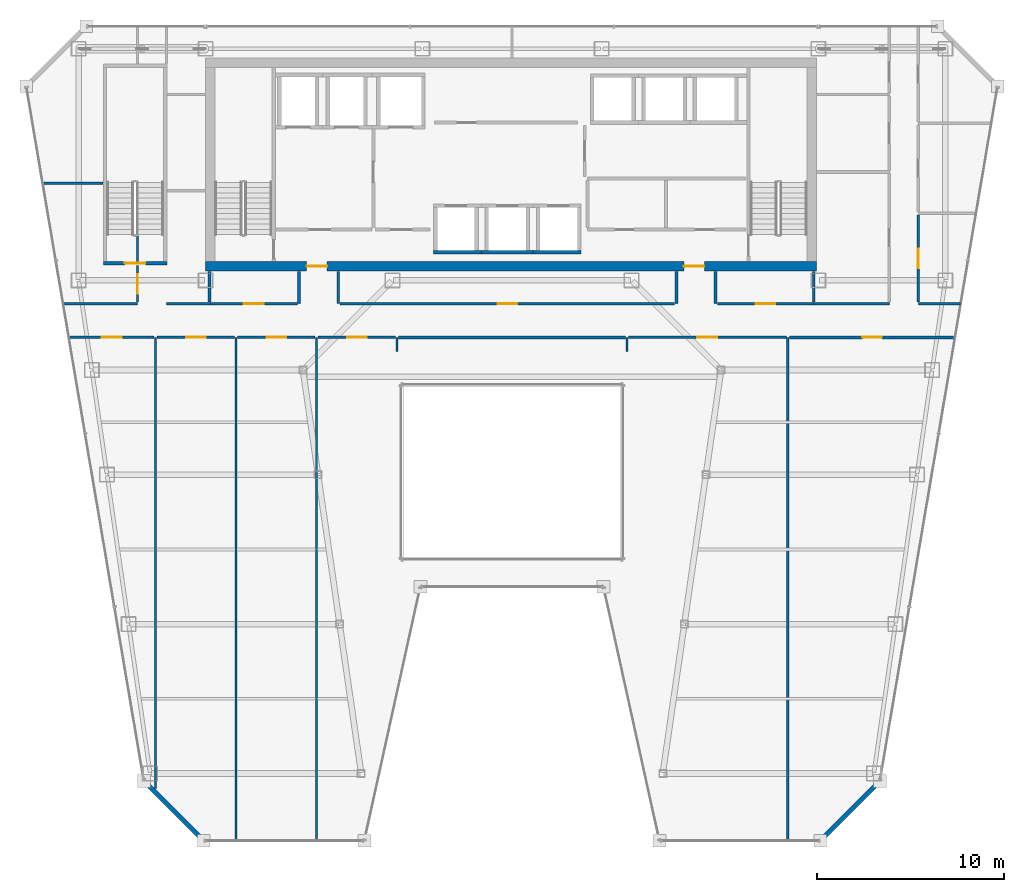
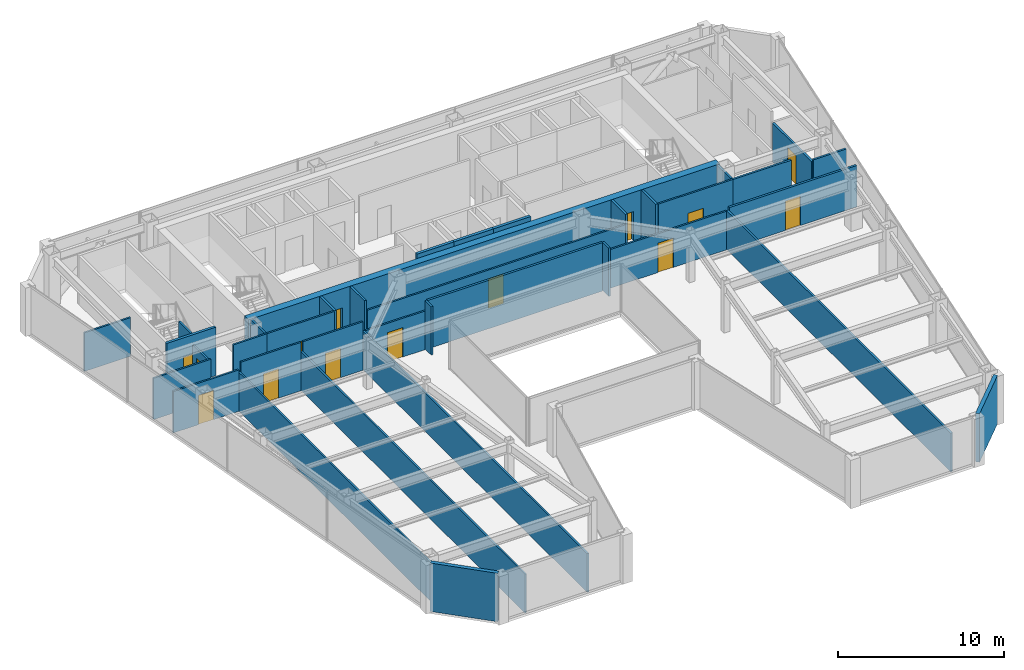
# One storey, part 30 of 35: 37 walls, 14 doors, 14 openings.
"""IFC4 building model written with IfcOpenShell, lengths in metres."""

from ifc_helpers import new_model, si_unit, direction, frame, frame_2d, origin, place, context, subcontext, project, spatial, rectangle, extrude, material, layer, layer_set, type_object, element, fill, save


model = new_model("IFC4")

# Units and contexts
model_context = context("Model", 3, precision=1e-05, world=origin(), true_north=direction((0.0, 1.0)))
body_context = subcontext(model_context, "Body", "Model", "MODEL_VIEW")
ifc_project = project(units=[si_unit("LENGTHUNIT", "METRE"), si_unit("AREAUNIT", "SQUARE_METRE"), si_unit("VOLUMEUNIT", "CUBIC_METRE"), si_unit("PLANEANGLEUNIT", "RADIAN"), si_unit("MASSUNIT", "GRAM", prefix="KILO")], contexts=[model_context])

# Site, building, storey
site_placement = place(None, origin())
site = spatial("IfcSite", under=ifc_project, at=site_placement, CompositionType="ELEMENT")
building_placement = place(site_placement, origin())
building = spatial("IfcBuilding", under=site, at=building_placement, Name="Saevonmaru Cultural Tower", CompositionType="ELEMENT")
storey_placement = place(building_placement, frame((0.0, 0.0, 190.39990234375)))
storey = spatial("IfcBuildingStorey", under=building, at=storey_placement, Name="L43", CompositionType="ELEMENT", Elevation=190.39990234375)

# Wall, openings, doors
ifc_material_1 = material(Name="Concrete C60/75", Category="concrete")
ifc_layer_1 = layer(ifc_material_1, 0.5, Name="Concrete C60/75")
ifc_layer_set_1 = layer_set([ifc_layer_1], Name="Concrete C60/75")
wall_type_1 = type_object("IfcWallType", Name="WL-CORE-500", PredefinedType="SHEAR", material=ifc_layer_set_1)
wall_1_placement = place(storey_placement, frame((13.60009765625, 43.14990234375, 0.0), z_axis=(0.0, 0.0, 1.0), x_axis=(1.0, 0.0, 0.0)))
wall_1 = element("IfcWall", 1, at=wall_1_placement, inside=storey, type_object=wall_type_1, Name="L43 Tower RC core shear wall S", PredefinedType="SHEAR", context=body_context, shape_type="SweptSolid", body=[
    extrude(rectangle(XDim=32.699951171875, YDim=0.5, at=frame_2d((16.35009765625, 0.0))), origin(), (0.0, 0.0, 1.0), 3.550048828125),
])
opening_1_placement = place(wall_1_placement, frame((5.39990234375, 0.0, 0.0)))
opening_1 = element("IfcOpeningElement", 2, at=opening_1_placement, cuts=wall_1, Name="Opening FD-2", PredefinedType="OPENING", context=body_context, shape_type="SweptSolid", body=[
    extrude(rectangle(XDim=1.10009765625, YDim=2.14990234375, at=frame_2d((0.550048828125, 1.074951171875))), frame((0.0, 0.260009765625, 0.0), z_axis=(0.0, -1.0, 0.0), x_axis=(1.0, 0.0, 0.0)), (0.0, 0.0, 1.0), 0.52001953125),
])
opening_2_placement = place(wall_1_placement, frame((25.60009765625, 0.0, 0.0)))
opening_2 = element("IfcOpeningElement", 3, at=opening_2_placement, cuts=wall_1, Name="Opening FD-2", PredefinedType="OPENING", context=body_context, shape_type="SweptSolid", body=[
    extrude(rectangle(XDim=1.10009765625, YDim=2.14990234375, at=frame_2d((0.550048828125, 1.074951171875))), frame((0.0, 0.260009765625, 0.0), z_axis=(0.0, -1.0, 0.0), x_axis=(1.0, 0.0, 0.0)), (0.0, 0.0, 1.0), 0.52001953125),
])
ifc_material_2 = material(Name="Satin Bronze Anodised Aluminium", Category="aluminium")
door_type_1 = type_object("IfcDoorType", Name="DR-FD60-1100", OperationType="SINGLE_SWING_LEFT", PredefinedType="DOOR", material=ifc_material_2)
door_1_placement = place(opening_1_placement, origin())
door_1 = element("IfcDoor", 4, at=door_1_placement, inside=storey, type_object=door_type_1, Name="L43 Core West Lobby Fire Door", OperationType="SINGLE_SWING_LEFT", OverallHeight=2.14990234375, OverallWidth=1.10009765625, PredefinedType="DOOR", context=body_context, shape_type="SweptSolid", body=[
    extrude(rectangle(XDim=1.10009765625, YDim=2.14990234375, at=frame_2d((0.550048828125, 1.074951171875))), frame((0.0, 0.02490234375, 0.0), z_axis=(0.0, -1.0, 0.0), x_axis=(1.0, 0.0, 0.0)), (0.0, 0.0, 1.0), 0.050048828125),
])
fill(opening_1, door_1)
door_2_placement = place(opening_2_placement, origin())
door_2 = element("IfcDoor", 5, at=door_2_placement, inside=storey, type_object=door_type_1, Name="L43 Core East Lobby Fire Door", OperationType="SINGLE_SWING_LEFT", OverallHeight=2.14990234375, OverallWidth=1.10009765625, PredefinedType="DOOR", context=body_context, shape_type="SweptSolid", body=[
    extrude(rectangle(XDim=1.10009765625, YDim=2.14990234375, at=frame_2d((0.550048828125, 1.074951171875))), frame((0.0, 0.02490234375, 0.0), z_axis=(0.0, -1.0, 0.0), x_axis=(1.0, 0.0, 0.0)), (0.0, 0.0, 1.0), 0.050048828125),
])
fill(opening_2, door_2)

# Walls
ifc_material_3 = material(Name="Granite-Clad Precast Concrete C40/50", Category="masonry")
ifc_layer_2 = layer(ifc_material_3, 0.260009765625, Name="Granite-Clad Precast Concrete C40/50")
ifc_layer_set_2 = layer_set([ifc_layer_2], Name="Granite-Clad Precast Concrete C40/50")
wall_type_2 = type_object("IfcWallType", Name="WL-EXT-SPANDREL-260", PredefinedType="STANDARD", material=ifc_layer_set_2)
for number, where, z_axis, x_axis, name in (
    (6, (10.410888671875, 15.48681640625, 0.0), (0.0, 0.0, 1.0), (0.707135806771, -0.70707775441, 0.0), "L43 Chamfer Corner Spandrel Wall E1"),
    (7, (46.615234375, 12.51318359375, 0.0), (0.0, 0.0, 1.0), (0.707135806771, 0.70707775441, 0.0), "L43 Chamfer Corner Spandrel Wall E7"),
):
    element("IfcWall", number, at=place(storey_placement, frame(where, z_axis=z_axis, x_axis=x_axis)), inside=storey, type_object=wall_type_2, Name=name, PredefinedType="STANDARD", context=body_context, shape_type="SweptSolid", body=[
        extrude(rectangle(XDim=4.20556640625, YDim=0.260009765625, at=frame_2d((2.102783203125, 0.0))), origin(), (0.0, 0.0, 1.0), 3.550048828125),
    ])

# Wall, opening, door
ifc_material_4 = material(Name="Gypsum Fireboard Partition", Category="gypsum")
ifc_layer_3 = layer(ifc_material_4, 0.14990234375, Name="Gypsum Fireboard Partition")
ifc_layer_set_3 = layer_set([ifc_layer_3], Name="Gypsum Fireboard Partition")
wall_type_3 = type_object("IfcWallType", Name="WL-PART-FIRE-150", PredefinedType="PARTITIONING", material=ifc_layer_set_3)
wall_2_placement = place(storey_placement, frame((51.75, 41.237548828125, 0.0), z_axis=(0.0, 0.0, 1.0), x_axis=(0.0, 1.0, 0.0)))
wall_2 = element("IfcWall", 8, at=wall_2_placement, inside=storey, type_object=wall_type_3, Name="L43 Special Collections Gallery Corridor Wall", PredefinedType="PARTITIONING", context=body_context, shape_type="SweptSolid", body=[
    extrude(rectangle(XDim=4.675048828125, YDim=0.14990234375, at=frame_2d((2.33740234375, 0.0))), origin(), (0.0, 0.0, 1.0), 2.835205078125),
])
opening_3_placement = place(wall_2_placement, frame((1.81298828125, 0.0, 0.0)))
opening_3 = element("IfcOpeningElement", 9, at=opening_3_placement, cuts=wall_2, Name="Opening ID-1", PredefinedType="OPENING", context=body_context, shape_type="SweptSolid", body=[
    extrude(rectangle(XDim=1.050048828125, YDim=2.14990234375, at=frame_2d((0.52490234375, 1.074951171875))), frame((0.0, 0.0849609375, 0.0), z_axis=(0.0, -1.0, 0.0), x_axis=(1.0, 0.0, 0.0)), (0.0, 0.0, 1.0), 0.169921875),
])
door_type_2 = type_object("IfcDoorType", Name="DR-INT-1050", OperationType="SINGLE_SWING_LEFT", PredefinedType="DOOR", material=ifc_material_2)
door_3_placement = place(opening_3_placement, origin())
door_3 = element("IfcDoor", 10, at=door_3_placement, inside=storey, type_object=door_type_2, Name="L43 Special Collections Gallery Door", OperationType="SINGLE_SWING_RIGHT", OverallHeight=2.14990234375, OverallWidth=1.050048828125, PredefinedType="DOOR", context=body_context, shape_type="SweptSolid", body=[
    extrude(rectangle(XDim=1.050048828125, YDim=2.14990234375, at=frame_2d((0.52490234375, 1.074951171875))), frame((0.0, 0.02490234375, 0.0), z_axis=(0.0, -1.0, 0.0), x_axis=(1.0, 0.0, 0.0)), (0.0, 0.0, 1.0), 0.050048828125),
])
fill(opening_3, door_3)

# Walls
wall_3_placement = place(storey_placement, frame((13.800048828125, 41.22998046875, 0.0), z_axis=(0.0, 0.0, 1.0), x_axis=(0.0, 1.0, 0.0)))
element("IfcWall", 11, at=wall_3_placement, inside=storey, type_object=wall_type_3, Name="L43 Core Portal Side Wall W0", PredefinedType="PARTITIONING", context=body_context, shape_type="SweptSolid", body=[
    extrude(rectangle(XDim=1.64990234375, YDim=0.14990234375, at=frame_2d((0.824951171875, 0.0))), origin(), (0.0, 0.0, 1.0), 3.550048828125),
])
for number, where, z_axis, x_axis, name in (
    (12, (18.60009765625, 41.14990234375, 0.0), (0.0, 0.0, 1.0), (0.0, 1.0, 0.0), "L43 Core Portal Side Wall W1"),
    (13, (20.699951171875, 41.14990234375, 0.0), (0.0, 0.0, 1.0), (0.0, 1.0, 0.0), "L43 Core Portal Side Wall W2"),
    (14, (38.800048828125, 41.14990234375, 0.0), (0.0, 0.0, 1.0), (0.0, 1.0, 0.0), "L43 Core Portal Side Wall E1"),
    (15, (40.89990234375, 41.14990234375, 0.0), (0.0, 0.0, 1.0), (0.0, 1.0, 0.0), "L43 Core Portal Side Wall E2"),
):
    element("IfcWall", number, at=place(storey_placement, frame(where, z_axis=z_axis, x_axis=x_axis)), inside=storey, type_object=wall_type_3, Name=name, PredefinedType="PARTITIONING", context=body_context, shape_type="SweptSolid", body=[
        extrude(rectangle(XDim=1.72998046875, YDim=0.14990234375, at=frame_2d((0.864990234375, 0.0))), origin(), (0.0, 0.0, 1.0), 3.550048828125),
    ])
wall_4_placement = place(storey_placement, frame((23.929931640625, 39.35009765625, 0.0), z_axis=(0.0, 0.0, 1.0), x_axis=(1.0, 0.0, 0.0)))
element("IfcWall", 16, at=wall_4_placement, inside=storey, type_object=wall_type_3, Name="L43 North Atrium Corridor Wall", PredefinedType="PARTITIONING", context=body_context, shape_type="SweptSolid", body=[
    extrude(rectangle(XDim=12.14013671875, YDim=0.14990234375, at=frame_2d((6.070068359375, 0.0))), origin(), (0.0, 0.0, 1.0), 3.550048828125),
])

# Wall, opening, door
wall_5_placement = place(storey_placement, frame((44.857421875, 39.35009765625, 0.0), z_axis=(0.0, 0.0, 1.0), x_axis=(1.0, 0.0, 0.0)))
wall_5 = element("IfcWall", 17, at=wall_5_placement, inside=storey, type_object=wall_type_3, Name="L43 Special Collections Gallery Corridor Wall", PredefinedType="PARTITIONING", context=body_context, shape_type="SweptSolid", body=[
    extrude(rectangle(XDim=8.837646484375, YDim=0.14990234375, at=frame_2d((4.4189453125, 0.0))), origin(), (0.0, 0.0, 1.0), 3.03515625),
])
opening_4_placement = place(wall_5_placement, frame((3.89404296875, 0.0, 0.0)))
opening_4 = element("IfcOpeningElement", 18, at=opening_4_placement, cuts=wall_5, Name="Opening ID-1", PredefinedType="OPENING", context=body_context, shape_type="SweptSolid", body=[
    extrude(rectangle(XDim=1.050048828125, YDim=2.14990234375, at=frame_2d((0.52490234375, 1.074951171875))), frame((0.0, 0.0849609375, 0.0), z_axis=(0.0, -1.0, 0.0), x_axis=(1.0, 0.0, 0.0)), (0.0, 0.0, 1.0), 0.169921875),
])
door_4_placement = place(opening_4_placement, origin())
door_4 = element("IfcDoor", 19, at=door_4_placement, inside=storey, type_object=door_type_2, Name="L43 Special Collections Gallery Door", OperationType="SINGLE_SWING_LEFT", OverallHeight=2.14990234375, OverallWidth=1.050048828125, PredefinedType="DOOR", context=body_context, shape_type="SweptSolid", body=[
    extrude(rectangle(XDim=1.050048828125, YDim=2.14990234375, at=frame_2d((0.52490234375, 1.074951171875))), frame((0.0, 0.02490234375, 0.0), z_axis=(0.0, -1.0, 0.0), x_axis=(1.0, 0.0, 0.0)), (0.0, 0.0, 1.0), 0.050048828125),
])
fill(opening_4, door_4)

# Walls
ifc_layer_4 = layer(ifc_material_4, 0.1201171875, Name="Gypsum Fireboard Partition")
ifc_layer_set_4 = layer_set([ifc_layer_4], Name="Gypsum Fireboard Partition")
wall_type_4 = type_object("IfcWallType", Name="WL-PART-GYP-120", PredefinedType="PARTITIONING", material=ifc_layer_set_4)
wall_6_placement = place(storey_placement, frame((5.977294921875, 41.14990234375, 0.0), z_axis=(0.0, 0.0, 1.0), x_axis=(1.0, 0.0, 0.0)))
element("IfcWall", 20, at=wall_6_placement, inside=storey, type_object=wall_type_4, Name="L43 NW Wing South Wall", PredefinedType="PARTITIONING", context=body_context, shape_type="SweptSolid", body=[
    extrude(rectangle(XDim=3.97265625, YDim=0.1201171875, at=frame_2d((1.986328125, 0.0))), origin(), (0.0, 0.0, 1.0), 3.03515625),
])
wall_7_placement = place(storey_placement, frame((11.5, 41.14990234375, 0.0), z_axis=(0.0, 0.0, 1.0), x_axis=(1.0, 0.0, 0.0)))
element("IfcWall", 21, at=wall_7_placement, inside=storey, type_object=wall_type_4, Name="L43 NW Inner South Wall", PredefinedType="PARTITIONING", context=body_context, shape_type="SweptSolid", body=[
    extrude(rectangle(XDim=2.35009765625, YDim=0.1201171875, at=frame_2d((1.175048828125, 0.0))), origin(), (0.0, 0.0, 1.0), 3.550048828125),
])
wall_8_placement = place(storey_placement, frame((4.885498046875, 47.60009765625, 0.0), z_axis=(0.0, 0.0, 1.0), x_axis=(1.0, 0.0, 0.0)))
element("IfcWall", 22, at=wall_8_placement, inside=storey, type_object=wall_type_4, Name="L43 NW Studio Divider 1", PredefinedType="PARTITIONING", context=body_context, shape_type="SweptSolid", body=[
    extrude(rectangle(XDim=3.214599609375, YDim=0.1201171875, at=frame_2d((1.607421875, 0.0))), origin(), (0.0, 0.0, 1.0), 2.835205078125),
])

# Wall, opening, door
wall_9_placement = place(storey_placement, frame((9.949951171875, 41.22998046875, 0.0), z_axis=(0.0, 0.0, 1.0), x_axis=(0.0, 1.0, 0.0)))
wall_9 = element("IfcWall", 23, at=wall_9_placement, inside=storey, type_object=wall_type_4, Name="L43 Rare Manuscript Reading Room Corridor Wall", PredefinedType="PARTITIONING", context=body_context, shape_type="SweptSolid", body=[
    extrude(rectangle(XDim=1.969970703125, YDim=0.1201171875, at=frame_2d((0.98486328125, 0.0))), origin(), (0.0, 0.0, 1.0), 2.835205078125),
])
opening_5_placement = place(wall_9_placement, frame((0.4599609375, 0.0, 0.0)))
opening_5 = element("IfcOpeningElement", 24, at=opening_5_placement, cuts=wall_9, Name="Opening ID-1", PredefinedType="OPENING", context=body_context, shape_type="SweptSolid", body=[
    extrude(rectangle(XDim=1.050048828125, YDim=2.14990234375, at=frame_2d((0.52490234375, 1.074951171875))), frame((0.0, 0.070068359375, 0.0), z_axis=(0.0, -1.0, 0.0), x_axis=(1.0, 0.0, 0.0)), (0.0, 0.0, 1.0), 0.14013671875),
])
door_5_placement = place(opening_5_placement, origin())
door_5 = element("IfcDoor", 25, at=door_5_placement, inside=storey, type_object=door_type_2, Name="L43 Rare Manuscript Reading Room Door", OperationType="SINGLE_SWING_LEFT", OverallHeight=2.14990234375, OverallWidth=1.050048828125, PredefinedType="DOOR", context=body_context, shape_type="SweptSolid", body=[
    extrude(rectangle(XDim=1.050048828125, YDim=2.14990234375, at=frame_2d((0.52490234375, 1.074951171875))), frame((0.0, 0.02490234375, 0.0), z_axis=(0.0, -1.0, 0.0), x_axis=(1.0, 0.0, 0.0)), (0.0, 0.0, 1.0), 0.050048828125),
])
fill(opening_5, door_5)

# Wall
wall_10_placement = place(storey_placement, frame((9.949951171875, 43.419921875, 0.0), z_axis=(0.0, 0.0, 1.0), x_axis=(0.0, 1.0, 0.0)))
element("IfcWall", 26, at=wall_10_placement, inside=storey, type_object=wall_type_4, Name="L43 Rare Manuscript Reading Room Corridor Wall (2)", PredefinedType="PARTITIONING", context=body_context, shape_type="SweptSolid", body=[
    extrude(rectangle(XDim=1.4501953125, YDim=0.1201171875, at=frame_2d((0.72509765625, 0.0))), origin(), (0.0, 0.0, 1.0), 3.550048828125),
])

# Wall, opening, door
wall_11_placement = place(storey_placement, frame((13.85009765625, 41.14990234375, 0.0), z_axis=(0.0, 0.0, 1.0), x_axis=(1.0, 0.0, 0.0)))
wall_11 = element("IfcWall", 27, at=wall_11_placement, inside=storey, type_object=wall_type_4, Name="L43 Rare Manuscript Reading Room Corridor Wall", PredefinedType="PARTITIONING", context=body_context, shape_type="SweptSolid", body=[
    extrude(rectangle(XDim=4.65478515625, YDim=0.1201171875, at=frame_2d((2.327392578125, 0.0))), origin(), (0.0, 0.0, 1.0), 3.550048828125),
])
opening_6_placement = place(wall_11_placement, frame((1.802001953125, 0.0, 0.0)))
opening_6 = element("IfcOpeningElement", 28, at=opening_6_placement, cuts=wall_11, Name="Opening ID-1", PredefinedType="OPENING", context=body_context, shape_type="SweptSolid", body=[
    extrude(rectangle(XDim=1.050048828125, YDim=2.14990234375, at=frame_2d((0.52490234375, 1.074951171875))), frame((0.0, 0.070068359375, 0.0), z_axis=(0.0, -1.0, 0.0), x_axis=(1.0, 0.0, 0.0)), (0.0, 0.0, 1.0), 0.14013671875),
])
door_6_placement = place(opening_6_placement, origin())
door_6 = element("IfcDoor", 29, at=door_6_placement, inside=storey, type_object=door_type_2, Name="L43 Rare Manuscript Reading Room Door", OperationType="SINGLE_SWING_LEFT", OverallHeight=2.14990234375, OverallWidth=1.050048828125, PredefinedType="DOOR", context=body_context, shape_type="SweptSolid", body=[
    extrude(rectangle(XDim=1.050048828125, YDim=2.14990234375, at=frame_2d((0.52490234375, 1.074951171875))), frame((0.0, 0.02490234375, 0.0), z_axis=(0.0, -1.0, 0.0), x_axis=(1.0, 0.0, 0.0)), (0.0, 0.0, 1.0), 0.050048828125),
])
fill(opening_6, door_6)

wall_12_placement = place(storey_placement, frame((20.794921875, 41.14990234375, 0.0), z_axis=(0.0, 0.0, 1.0), x_axis=(1.0, 0.0, 0.0)))
wall_12 = element("IfcWall", 30, at=wall_12_placement, inside=storey, type_object=wall_type_4, Name="L43 Cartographic Study Library Corridor Wall", PredefinedType="PARTITIONING", context=body_context, shape_type="SweptSolid", body=[
    extrude(rectangle(XDim=17.91015625, YDim=0.1201171875, at=frame_2d((8.955078125, 0.0))), origin(), (0.0, 0.0, 1.0), 2.835205078125),
])
opening_7_placement = place(wall_12_placement, frame((8.429931640625, 0.0, 0.0)))
opening_7 = element("IfcOpeningElement", 31, at=opening_7_placement, cuts=wall_12, Name="Opening ID-1", PredefinedType="OPENING", context=body_context, shape_type="SweptSolid", body=[
    extrude(rectangle(XDim=1.050048828125, YDim=2.14990234375, at=frame_2d((0.52490234375, 1.074951171875))), frame((0.0, 0.070068359375, 0.0), z_axis=(0.0, -1.0, 0.0), x_axis=(1.0, 0.0, 0.0)), (0.0, 0.0, 1.0), 0.14013671875),
])
door_7_placement = place(opening_7_placement, origin())
door_7 = element("IfcDoor", 32, at=door_7_placement, inside=storey, type_object=door_type_2, Name="L43 Cartographic Study Library Door", OperationType="SINGLE_SWING_RIGHT", OverallHeight=2.14990234375, OverallWidth=1.050048828125, PredefinedType="DOOR", context=body_context, shape_type="SweptSolid", body=[
    extrude(rectangle(XDim=1.050048828125, YDim=2.14990234375, at=frame_2d((0.52490234375, 1.074951171875))), frame((0.0, 0.02490234375, 0.0), z_axis=(0.0, -1.0, 0.0), x_axis=(1.0, 0.0, 0.0)), (0.0, 0.0, 1.0), 0.050048828125),
])
fill(opening_7, door_7)

wall_13_placement = place(storey_placement, frame((40.9951171875, 41.14990234375, 0.0), z_axis=(0.0, 0.0, 1.0), x_axis=(1.0, 0.0, 0.0)))
wall_13 = element("IfcWall", 33, at=wall_13_placement, inside=storey, type_object=wall_type_4, Name="L43 Periodical Reading Room Corridor Wall", PredefinedType="PARTITIONING", context=body_context, shape_type="SweptSolid", body=[
    extrude(rectangle(XDim=5.15478515625, YDim=0.1201171875, at=frame_2d((2.577392578125, 0.0))), origin(), (0.0, 0.0, 1.0), 3.550048828125),
])
opening_8_placement = place(wall_13_placement, frame((2.052978515625, 0.0, 0.0)))
opening_8 = element("IfcOpeningElement", 34, at=opening_8_placement, cuts=wall_13, Name="Opening ID-1", PredefinedType="OPENING", context=body_context, shape_type="SweptSolid", body=[
    extrude(rectangle(XDim=1.050048828125, YDim=2.14990234375, at=frame_2d((0.52490234375, 1.074951171875))), frame((0.0, 0.070068359375, 0.0), z_axis=(0.0, -1.0, 0.0), x_axis=(1.0, 0.0, 0.0)), (0.0, 0.0, 1.0), 0.14013671875),
])
door_8_placement = place(opening_8_placement, origin())
door_8 = element("IfcDoor", 35, at=door_8_placement, inside=storey, type_object=door_type_2, Name="L43 Periodical Reading Room Door", OperationType="SINGLE_SWING_LEFT", OverallHeight=2.14990234375, OverallWidth=1.050048828125, PredefinedType="DOOR", context=body_context, shape_type="SweptSolid", body=[
    extrude(rectangle(XDim=1.050048828125, YDim=2.14990234375, at=frame_2d((0.52490234375, 1.074951171875))), frame((0.0, 0.02490234375, 0.0), z_axis=(0.0, -1.0, 0.0), x_axis=(1.0, 0.0, 0.0)), (0.0, 0.0, 1.0), 0.050048828125),
])
fill(opening_8, door_8)

# Walls
wall_14_placement = place(storey_placement, frame((10.919921875, 15.18994140625, 0.0), z_axis=(0.0, 0.0, 1.0), x_axis=(0.0, 1.0, 0.0)))
element("IfcWall", 36, at=wall_14_placement, inside=storey, type_object=wall_type_4, Name="L43 West Bay Divider 1", PredefinedType="PARTITIONING", context=body_context, shape_type="SweptSolid", body=[
    extrude(rectangle(XDim=24.16015625, YDim=0.1201171875, at=frame_2d((12.080078125, 0.0))), origin(), (0.0, 0.0, 1.0), 2.835205078125),
])
for number, where, z_axis, x_axis, name in (
    (37, (15.22998046875, 12.405029296875, 0.0), (0.0, 0.0, 1.0), (0.0, 1.0, 0.0), "L43 West Bay Divider 2"),
    (38, (19.5400390625, 12.405029296875, 0.0), (0.0, 0.0, 1.0), (0.0, 1.0, 0.0), "L43 West Bay Divider 3"),
):
    element("IfcWall", number, at=place(storey_placement, frame(where, z_axis=z_axis, x_axis=x_axis)), inside=storey, type_object=wall_type_4, Name=name, PredefinedType="PARTITIONING", context=body_context, shape_type="SweptSolid", body=[
        extrude(rectangle(XDim=26.945068359375, YDim=0.1201171875, at=frame_2d((13.47265625, 0.0))), origin(), (0.0, 0.0, 1.0), 2.835205078125),
    ])
for number, where, z_axis, x_axis, name in (
    (39, (23.85009765625, 38.60009765625, 0.0), (0.0, 0.0, 1.0), (0.0, 1.0, 0.0), "L43 North Atrium West Wall"),
    (40, (36.14990234375, 38.60009765625, 0.0), (0.0, 0.0, 1.0), (0.0, 1.0, 0.0), "L43 North Atrium East Wall"),
):
    element("IfcWall", number, at=place(storey_placement, frame(where, z_axis=z_axis, x_axis=x_axis)), inside=storey, type_object=wall_type_4, Name=name, PredefinedType="PARTITIONING", context=body_context, shape_type="SweptSolid", body=[
        extrude(rectangle(XDim=0.75, YDim=0.1201171875, at=frame_2d((0.375, 0.0))), origin(), (0.0, 0.0, 1.0), 3.550048828125),
    ])

# Wall, opening, door
wall_15_placement = place(storey_placement, frame((6.304931640625, 39.35009765625, 0.0), z_axis=(0.0, 0.0, 1.0), x_axis=(1.0, 0.0, 0.0)))
wall_15 = element("IfcWall", 41, at=wall_15_placement, inside=storey, type_object=wall_type_4, Name="L43 Rare Manuscript Reading Room Corridor Wall", PredefinedType="PARTITIONING", context=body_context, shape_type="SweptSolid", body=[
    extrude(rectangle(XDim=4.53515625, YDim=0.1201171875, at=frame_2d((2.267578125, 0.0))), origin(), (0.0, 0.0, 1.0), 3.03515625),
])
opening_9_placement = place(wall_15_placement, frame((1.742919921875, 0.0, 0.0)))
opening_9 = element("IfcOpeningElement", 42, at=opening_9_placement, cuts=wall_15, Name="Opening ID-1", PredefinedType="OPENING", context=body_context, shape_type="SweptSolid", body=[
    extrude(rectangle(XDim=1.050048828125, YDim=2.14990234375, at=frame_2d((0.52490234375, 1.074951171875))), frame((0.0, 0.070068359375, 0.0), z_axis=(0.0, -1.0, 0.0), x_axis=(1.0, 0.0, 0.0)), (0.0, 0.0, 1.0), 0.14013671875),
])
door_9_placement = place(opening_9_placement, origin())
door_9 = element("IfcDoor", 43, at=door_9_placement, inside=storey, type_object=door_type_2, Name="L43 Rare Manuscript Reading Room Door", OperationType="SINGLE_SWING_RIGHT", OverallHeight=2.14990234375, OverallWidth=1.050048828125, PredefinedType="DOOR", context=body_context, shape_type="SweptSolid", body=[
    extrude(rectangle(XDim=1.050048828125, YDim=2.14990234375, at=frame_2d((0.52490234375, 1.074951171875))), frame((0.0, 0.02490234375, 0.0), z_axis=(0.0, -1.0, 0.0), x_axis=(1.0, 0.0, 0.0)), (0.0, 0.0, 1.0), 0.050048828125),
])
fill(opening_9, door_9)

wall_16_placement = place(storey_placement, frame((11.0, 39.35009765625, 0.0), z_axis=(0.0, 0.0, 1.0), x_axis=(1.0, 0.0, 0.0)))
wall_16 = element("IfcWall", 44, at=wall_16_placement, inside=storey, type_object=wall_type_4, Name="L43 Cartographic Study Library Corridor Wall", PredefinedType="PARTITIONING", context=body_context, shape_type="SweptSolid", body=[
    extrude(rectangle(XDim=4.14990234375, YDim=0.1201171875, at=frame_2d((2.074951171875, 0.0))), origin(), (0.0, 0.0, 1.0), 3.550048828125),
])
opening_10_placement = place(wall_16_placement, frame((1.550048828125, 0.0, 0.0)))
opening_10 = element("IfcOpeningElement", 45, at=opening_10_placement, cuts=wall_16, Name="Opening ID-1", PredefinedType="OPENING", context=body_context, shape_type="SweptSolid", body=[
    extrude(rectangle(XDim=1.050048828125, YDim=2.14990234375, at=frame_2d((0.52490234375, 1.074951171875))), frame((0.0, 0.070068359375, 0.0), z_axis=(0.0, -1.0, 0.0), x_axis=(1.0, 0.0, 0.0)), (0.0, 0.0, 1.0), 0.14013671875),
])
door_10_placement = place(opening_10_placement, origin())
door_10 = element("IfcDoor", 46, at=door_10_placement, inside=storey, type_object=door_type_2, Name="L43 Cartographic Study Library Door", OperationType="SINGLE_SWING_LEFT", OverallHeight=2.14990234375, OverallWidth=1.050048828125, PredefinedType="DOOR", context=body_context, shape_type="SweptSolid", body=[
    extrude(rectangle(XDim=1.050048828125, YDim=2.14990234375, at=frame_2d((0.52490234375, 1.074951171875))), frame((0.0, 0.02490234375, 0.0), z_axis=(0.0, -1.0, 0.0), x_axis=(1.0, 0.0, 0.0)), (0.0, 0.0, 1.0), 0.050048828125),
])
fill(opening_10, door_10)

wall_17_placement = place(storey_placement, frame((15.31005859375, 39.35009765625, 0.0), z_axis=(0.0, 0.0, 1.0), x_axis=(1.0, 0.0, 0.0)))
wall_17 = element("IfcWall", 47, at=wall_17_placement, inside=storey, type_object=wall_type_4, Name="L43 Periodical Reading Room Corridor Wall", PredefinedType="PARTITIONING", context=body_context, shape_type="SweptSolid", body=[
    extrude(rectangle(XDim=4.14990234375, YDim=0.1201171875, at=frame_2d((2.074951171875, 0.0))), origin(), (0.0, 0.0, 1.0), 3.550048828125),
])
opening_11_placement = place(wall_17_placement, frame((1.550048828125, 0.0, 0.0)))
opening_11 = element("IfcOpeningElement", 48, at=opening_11_placement, cuts=wall_17, Name="Opening ID-1", PredefinedType="OPENING", context=body_context, shape_type="SweptSolid", body=[
    extrude(rectangle(XDim=1.050048828125, YDim=2.14990234375, at=frame_2d((0.52490234375, 1.074951171875))), frame((0.0, 0.070068359375, 0.0), z_axis=(0.0, -1.0, 0.0), x_axis=(1.0, 0.0, 0.0)), (0.0, 0.0, 1.0), 0.14013671875),
])
door_11_placement = place(opening_11_placement, origin())
door_11 = element("IfcDoor", 49, at=door_11_placement, inside=storey, type_object=door_type_2, Name="L43 Periodical Reading Room Door", OperationType="SINGLE_SWING_RIGHT", OverallHeight=2.14990234375, OverallWidth=1.050048828125, PredefinedType="DOOR", context=body_context, shape_type="SweptSolid", body=[
    extrude(rectangle(XDim=1.050048828125, YDim=2.14990234375, at=frame_2d((0.52490234375, 1.074951171875))), frame((0.0, 0.02490234375, 0.0), z_axis=(0.0, -1.0, 0.0), x_axis=(1.0, 0.0, 0.0)), (0.0, 0.0, 1.0), 0.050048828125),
])
fill(opening_11, door_11)

wall_18_placement = place(storey_placement, frame((19.6201171875, 39.35009765625, 0.0), z_axis=(0.0, 0.0, 1.0), x_axis=(1.0, 0.0, 0.0)))
wall_18 = element("IfcWall", 50, at=wall_18_placement, inside=storey, type_object=wall_type_4, Name="L43 Rare Manuscript Reading Room Corridor Wall", PredefinedType="PARTITIONING", context=body_context, shape_type="SweptSolid", body=[
    extrude(rectangle(XDim=4.14990234375, YDim=0.1201171875, at=frame_2d((2.074951171875, 0.0))), origin(), (0.0, 0.0, 1.0), 2.835205078125),
])
opening_12_placement = place(wall_18_placement, frame((1.550048828125, 0.0, 0.0)))
opening_12 = element("IfcOpeningElement", 51, at=opening_12_placement, cuts=wall_18, Name="Opening ID-1", PredefinedType="OPENING", context=body_context, shape_type="SweptSolid", body=[
    extrude(rectangle(XDim=1.050048828125, YDim=2.14990234375, at=frame_2d((0.52490234375, 1.074951171875))), frame((0.0, 0.070068359375, 0.0), z_axis=(0.0, -1.0, 0.0), x_axis=(1.0, 0.0, 0.0)), (0.0, 0.0, 1.0), 0.14013671875),
])
door_12_placement = place(opening_12_placement, origin())
door_12 = element("IfcDoor", 52, at=door_12_placement, inside=storey, type_object=door_type_2, Name="L43 Rare Manuscript Reading Room Door", OperationType="SINGLE_SWING_LEFT", OverallHeight=2.14990234375, OverallWidth=1.050048828125, PredefinedType="DOOR", context=body_context, shape_type="SweptSolid", body=[
    extrude(rectangle(XDim=1.050048828125, YDim=2.14990234375, at=frame_2d((0.52490234375, 1.074951171875))), frame((0.0, 0.02490234375, 0.0), z_axis=(0.0, -1.0, 0.0), x_axis=(1.0, 0.0, 0.0)), (0.0, 0.0, 1.0), 0.050048828125),
])
fill(opening_12, door_12)

wall_19_placement = place(storey_placement, frame((36.22998046875, 39.35009765625, 0.0), z_axis=(0.0, 0.0, 1.0), x_axis=(1.0, 0.0, 0.0)))
wall_19 = element("IfcWall", 53, at=wall_19_placement, inside=storey, type_object=wall_type_4, Name="L43 Periodical Reading Room Corridor Wall", PredefinedType="PARTITIONING", context=body_context, shape_type="SweptSolid", body=[
    extrude(rectangle(XDim=8.45263671875, YDim=0.1201171875, at=frame_2d((4.226318359375, 0.0))), origin(), (0.0, 0.0, 1.0), 2.835205078125),
])
opening_13_placement = place(wall_19_placement, frame((3.700927734375, 0.0, 0.0)))
opening_13 = element("IfcOpeningElement", 54, at=opening_13_placement, cuts=wall_19, Name="Opening ID-1", PredefinedType="OPENING", context=body_context, shape_type="SweptSolid", body=[
    extrude(rectangle(XDim=1.050048828125, YDim=2.14990234375, at=frame_2d((0.52490234375, 1.074951171875))), frame((0.0, 0.070068359375, 0.0), z_axis=(0.0, -1.0, 0.0), x_axis=(1.0, 0.0, 0.0)), (0.0, 0.0, 1.0), 0.14013671875),
])
door_13_placement = place(opening_13_placement, origin())
door_13 = element("IfcDoor", 55, at=door_13_placement, inside=storey, type_object=door_type_2, Name="L43 Periodical Reading Room Door", OperationType="SINGLE_SWING_RIGHT", OverallHeight=2.14990234375, OverallWidth=1.050048828125, PredefinedType="DOOR", context=body_context, shape_type="SweptSolid", body=[
    extrude(rectangle(XDim=1.050048828125, YDim=2.14990234375, at=frame_2d((0.52490234375, 1.074951171875))), frame((0.0, 0.02490234375, 0.0), z_axis=(0.0, -1.0, 0.0), x_axis=(1.0, 0.0, 0.0)), (0.0, 0.0, 1.0), 0.050048828125),
])
fill(opening_13, door_13)

# Walls
ifc_layer_5 = layer(ifc_material_4, 0.135009765625, Name="Gypsum Fireboard Partition")
ifc_layer_set_5 = layer_set([ifc_layer_5], Name="Gypsum Fireboard Partition")
wall_type_5 = type_object("IfcWallType", Name="WL-PART-GYP-135", PredefinedType="PARTITIONING", material=ifc_layer_set_5)
wall_20_placement = place(storey_placement, frame((51.75, 41.14990234375, 0.0), z_axis=(0.0, 0.0, 1.0), x_axis=(1.0, 0.0, 0.0)))
element("IfcWall", 56, at=wall_20_placement, inside=storey, type_object=wall_type_5, Name="L43 NE Wing South Wall", PredefinedType="PARTITIONING", context=body_context, shape_type="SweptSolid", body=[
    extrude(rectangle(XDim=2.272705078125, YDim=0.135009765625, at=frame_2d((1.13623046875, 0.0))), origin(), (0.0, 0.0, 1.0), 3.03515625),
])
wall_21_placement = place(storey_placement, frame((44.77001953125, 12.405029296875, 0.0), z_axis=(0.0, 0.0, 1.0), x_axis=(0.0, 1.0, 0.0)))
element("IfcWall", 57, at=wall_21_placement, inside=storey, type_object=wall_type_5, Name="L43 East Bay Divider 1", PredefinedType="PARTITIONING", context=body_context, shape_type="SweptSolid", body=[
    extrude(rectangle(XDim=26.945068359375, YDim=0.135009765625, at=frame_2d((13.47265625, 0.0))), origin(), (0.0, 0.0, 1.0), 2.835205078125),
])
ifc_layer_6 = layer(ifc_material_4, 0.139892578125, Name="Gypsum Fireboard Partition")
ifc_layer_set_6 = layer_set([ifc_layer_6], Name="Gypsum Fireboard Partition")
wall_type_6 = type_object("IfcWallType", Name="WL-PART-WET-140", PredefinedType="PARTITIONING", material=ifc_layer_set_6)
wall_22_placement = place(storey_placement, frame((46.14990234375, 41.14990234375, 0.0), z_axis=(0.0, 0.0, 1.0), x_axis=(1.0, 0.0, 0.0)))
element("IfcWall", 58, at=wall_22_placement, inside=storey, type_object=wall_type_6, Name="L43 Washroom South Wall", PredefinedType="PARTITIONING", context=body_context, shape_type="SweptSolid", body=[
    extrude(rectangle(XDim=4.050048828125, YDim=0.139892578125, at=frame_2d((2.02490234375, 0.0))), origin(), (0.0, 0.0, 1.0), 3.550048828125),
])
wall_23_placement = place(storey_placement, frame((46.14990234375, 41.239990234375, 0.0), z_axis=(0.0, 0.0, 1.0), x_axis=(0.0, 1.0, 0.0)))
element("IfcWall", 59, at=wall_23_placement, inside=storey, type_object=wall_type_6, Name="L43 Washroom South-West Return", PredefinedType="PARTITIONING", context=body_context, shape_type="SweptSolid", body=[
    extrude(rectangle(XDim=1.639892578125, YDim=0.139892578125, at=frame_2d((0.81982421875, 0.0))), origin(), (0.0, 0.0, 1.0), 3.550048828125),
])
ifc_material_5 = material(Name="Concrete C40/50", Category="concrete")
ifc_layer_7 = layer(ifc_material_5, 0.199951171875, Name="Concrete C40/50")
ifc_layer_set_7 = layer_set([ifc_layer_7], Name="Concrete C40/50")
wall_type_7 = type_object("IfcWallType", Name="WL-SHAFT-200", PredefinedType="SHEAR", material=ifc_layer_set_7)
wall_24_placement = place(storey_placement, frame((25.800048828125, 43.89990234375, 0.0), z_axis=(0.0, 0.0, 1.0), x_axis=(1.0, 0.0, 0.0)))
element("IfcWall", 60, at=wall_24_placement, inside=storey, type_object=wall_type_7, Name="L43 Lift PL-M1 Hoistway Wall S", PredefinedType="SHEAR", context=body_context, shape_type="SweptSolid", body=[
    extrude(rectangle(XDim=2.574951171875, YDim=0.199951171875, at=frame_2d((1.28759765625, 0.0))), origin(), (0.0, 0.0, 1.0), 3.550048828125),
])
wall_25_placement = place(storey_placement, frame((28.375, 43.89990234375, 0.0), z_axis=(0.0, 0.0, 1.0), x_axis=(1.0, 0.0, 0.0)))
element("IfcWall", 61, at=wall_25_placement, inside=storey, type_object=wall_type_7, Name="L43 Lift PL-M2 Hoistway Wall S", PredefinedType="SHEAR", context=body_context, shape_type="SweptSolid", body=[
    extrude(rectangle(XDim=2.75, YDim=0.199951171875, at=frame_2d((1.375, 0.0))), origin(), (0.0, 0.0, 1.0), 3.550048828125),
])
wall_26_placement = place(storey_placement, frame((31.125, 43.89990234375, 0.0), z_axis=(0.0, 0.0, 1.0), x_axis=(1.0, 0.0, 0.0)))
element("IfcWall", 62, at=wall_26_placement, inside=storey, type_object=wall_type_7, Name="L43 Lift PL-M3 Hoistway Wall S", PredefinedType="SHEAR", context=body_context, shape_type="SweptSolid", body=[
    extrude(rectangle(XDim=2.574951171875, YDim=0.199951171875, at=frame_2d((1.28759765625, 0.0))), origin(), (0.0, 0.0, 1.0), 3.550048828125),
])

# Wall, opening, door
ifc_layer_8 = layer(ifc_material_5, 0.179931640625, Name="Concrete C40/50")
ifc_layer_set_8 = layer_set([ifc_layer_8], Name="Concrete C40/50")
wall_type_8 = type_object("IfcWallType", Name="WL-STSHAFT-180", PredefinedType="SHEAR", material=ifc_layer_set_8)
wall_27_placement = place(storey_placement, frame((8.1201171875, 43.31005859375, 0.0), z_axis=(0.0, 0.0, 1.0), x_axis=(1.0, 0.0, 0.0)))
wall_27 = element("IfcWall", 63, at=wall_27_placement, inside=storey, type_object=wall_type_8, Name="L43 Stair ST-3 Structural Shaft Wall 1", PredefinedType="SHEAR", context=body_context, shape_type="SweptSolid", body=[
    extrude(rectangle(XDim=3.409912109375, YDim=0.179931640625, at=frame_2d((1.705078125, 0.0))), origin(), (0.0, 0.0, 1.0), 3.550048828125),
])
opening_14_placement = place(wall_27_placement, frame((1.14990234375, 0.0, 0.0)))
opening_14 = element("IfcOpeningElement", 64, at=opening_14_placement, cuts=wall_27, Name="Opening FD-2", PredefinedType="OPENING", context=body_context, shape_type="SweptSolid", body=[
    extrude(rectangle(XDim=1.10009765625, YDim=2.14990234375, at=frame_2d((0.550048828125, 1.074951171875))), frame((0.0, 0.10009765625, 0.0), z_axis=(0.0, -1.0, 0.0), x_axis=(1.0, 0.0, 0.0)), (0.0, 0.0, 1.0), 0.199951171875),
])
door_14_placement = place(opening_14_placement, origin())
door_14 = element("IfcDoor", 65, at=door_14_placement, inside=storey, type_object=door_type_1, Name="L43 Protected Stair ST-3 Fire Door", OperationType="SINGLE_SWING_LEFT", OverallHeight=2.14990234375, OverallWidth=1.10009765625, PredefinedType="DOOR", context=body_context, shape_type="SweptSolid", body=[
    extrude(rectangle(XDim=1.10009765625, YDim=2.14990234375, at=frame_2d((0.550048828125, 1.074951171875))), frame((0.0, 0.02490234375, 0.0), z_axis=(0.0, -1.0, 0.0), x_axis=(1.0, 0.0, 0.0)), (0.0, 0.0, 1.0), 0.050048828125),
])
fill(opening_14, door_14)

save(model, "model.ifc")
